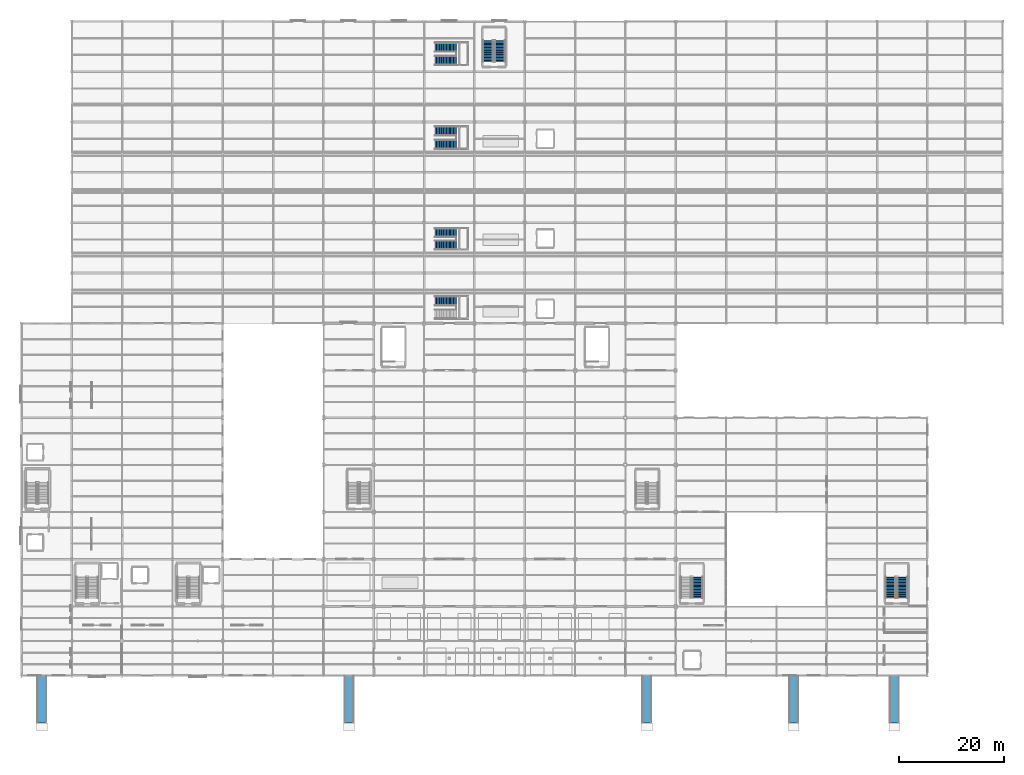
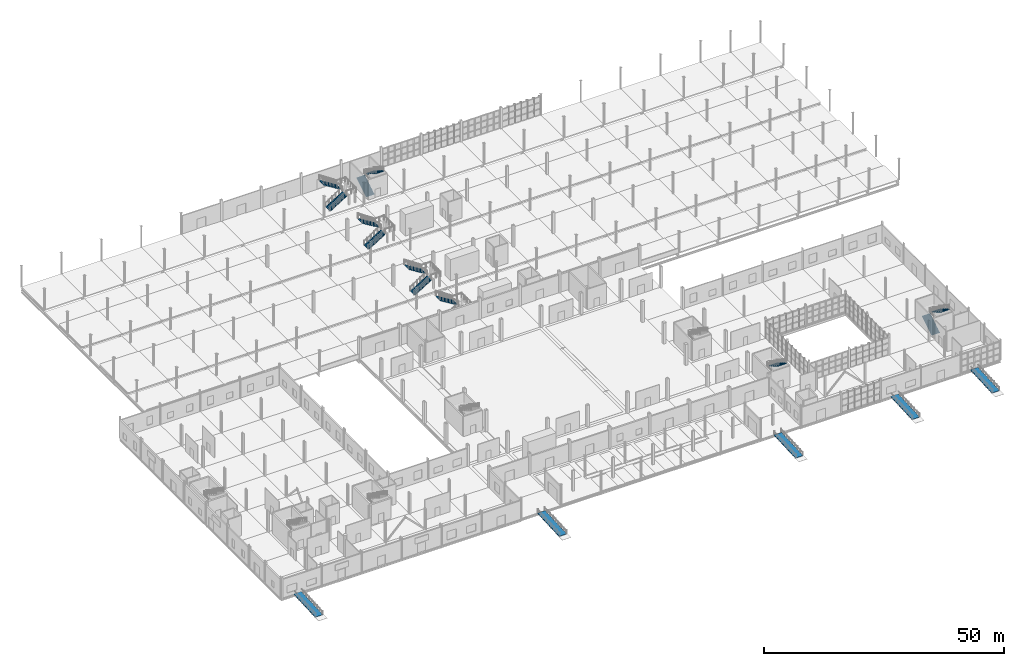
# One storey, part 74 of 85: 12 stair flights, 5 ramp flights, 12 elements without a shape of their own.
"""IFC4 building model written with IfcOpenShell, lengths in metres."""

from ifc_helpers import new_model, si_unit, direction, frame, origin, place, context, subcontext, project, spatial, polyline, outline, extrude, material, layer, layer_set, type_object, element, aggregate, save


model = new_model("IFC4")

# Units and contexts
model_context = context("Model", 3, precision=1e-05, world=origin(), true_north=direction((0.0, 1.0)))
body_context = subcontext(model_context, "Body", "Model", "MODEL_VIEW")
ifc_project = project(units=[si_unit("LENGTHUNIT", "METRE"), si_unit("AREAUNIT", "SQUARE_METRE"), si_unit("VOLUMEUNIT", "CUBIC_METRE"), si_unit("PLANEANGLEUNIT", "RADIAN"), si_unit("MASSUNIT", "GRAM", prefix="KILO")], contexts=[model_context])

# Site, building, storey
site_placement = place(None, origin())
site = spatial("IfcSite", under=ifc_project, at=site_placement, CompositionType="ELEMENT")
building_placement = place(site_placement, origin())
building = spatial("IfcBuilding", under=site, at=building_placement, Name="Zarnetskaya Central Station", CompositionType="ELEMENT")
storey_placement = place(building_placement, origin())
storey = spatial("IfcBuildingStorey", under=building, at=storey_placement, Name="L00", CompositionType="ELEMENT", Elevation=0.0)

# Stair, stair flights
ifc_material = material(Name="Concrete C30/37", Category="concrete")
stair_type_1 = type_object("IfcStairType", Name="STAIR-ASSY-01", PredefinedType="HALF_TURN_STAIR", material=ifc_material)
stair_1_placement = place(storey_placement, origin())
stair_1 = element("IfcStair", 1, at=stair_1_placement, inside=storey, type_object=stair_type_1, Name="Exit Stair ST-P2 L00", PredefinedType="HALF_TURN_STAIR")
stair_flight_type_1 = type_object("IfcStairFlightType", Name="FLT-TYPE-01", PredefinedType="STRAIGHT", material=ifc_material)
stair_flight_1_placement = place(storey_placement, frame((78.89990234375, 82.10009765625, 0.0), z_axis=(0.0, 0.0, 1.0), x_axis=(1.0, 0.0, 0.0)))
stair_flight_1 = element("IfcStairFlight", 2, at=stair_flight_1_placement, type_object=stair_flight_type_1, Name="ST-03 flight 1", NumberOfRisers=16, NumberOfTreads=15, PredefinedType="STRAIGHT", RiserHeight=0.16875, TreadLength=0.27, context=body_context, shape_type="SweptSolid", body=[
    extrude(outline(polyline([(0.0, 0.0), (0.0, 0.168701171875), (0.27001953125, 0.168701171875), (0.27001953125, 0.33740234375), (0.5400390625, 0.33740234375), (0.5400390625, 0.50634765625), (0.81005859375, 0.50634765625), (0.81005859375, 0.675048828125), (1.080078125, 0.675048828125), (1.080078125, 0.84375), (1.35009765625, 0.84375), (1.35009765625, 1.012451171875), (1.6201171875, 1.012451171875), (1.6201171875, 1.18115234375), (1.889892578125, 1.18115234375), (1.889892578125, 1.35009765625), (2.159912109375, 1.35009765625), (2.159912109375, 1.518798828125), (2.429931640625, 1.518798828125), (2.429931640625, 1.6875), (2.699951171875, 1.6875), (2.699951171875, 1.856201171875), (2.969970703125, 1.856201171875), (2.969970703125, 2.02490234375), (3.239990234375, 2.02490234375), (3.239990234375, 2.19384765625), (3.510009765625, 2.19384765625), (3.510009765625, 2.362548828125), (3.780029296875, 2.362548828125), (3.780029296875, 2.53125), (4.050048828125, 2.53125), (4.050048828125, 2.699951171875), (4.050048828125, 2.3544921875), (0.28271484375, 0.0), (0.0, 0.0)])), frame((0.0, 0.85986328125, 0.0), z_axis=(0.0, -1.0, 0.0), x_axis=(1.0, 0.0, 0.0)), (0.0, 0.0, 1.0), 1.719970703125),
])
stair_flight_2_placement = place(storey_placement, frame((82.949951171875, 84.5, 2.699951171875), z_axis=(0.0, 0.0, 1.0), x_axis=(-1.0, 0.0, 0.0)))
stair_flight_2 = element("IfcStairFlight", 3, at=stair_flight_2_placement, type_object=stair_flight_type_1, Name="ST-03 flight 2", NumberOfRisers=16, NumberOfTreads=15, PredefinedType="STRAIGHT", RiserHeight=0.16875, TreadLength=0.27, context=body_context, shape_type="SweptSolid", body=[
    extrude(outline(polyline([(0.0, 0.0), (0.0, 0.168701171875), (0.27001953125, 0.168701171875), (0.27001953125, 0.33740234375), (0.5400390625, 0.33740234375), (0.5400390625, 0.50634765625), (0.81005859375, 0.50634765625), (0.81005859375, 0.675048828125), (1.080078125, 0.675048828125), (1.080078125, 0.84375), (1.35009765625, 0.84375), (1.35009765625, 1.012451171875), (1.6201171875, 1.012451171875), (1.6201171875, 1.18115234375), (1.889892578125, 1.18115234375), (1.889892578125, 1.35009765625), (2.159912109375, 1.35009765625), (2.159912109375, 1.518798828125), (2.429931640625, 1.518798828125), (2.429931640625, 1.6875), (2.699951171875, 1.6875), (2.699951171875, 1.856201171875), (2.969970703125, 1.856201171875), (2.969970703125, 2.02490234375), (3.239990234375, 2.02490234375), (3.239990234375, 2.19384765625), (3.510009765625, 2.19384765625), (3.510009765625, 2.362548828125), (3.780029296875, 2.362548828125), (3.780029296875, 2.53125), (4.050048828125, 2.53125), (4.050048828125, 2.699951171875), (4.050048828125, 2.3544921875), (0.28271484375, 0.0), (0.0, 0.0)])), frame((0.0, 0.85986328125, 0.0), z_axis=(0.0, -1.0, 0.0), x_axis=(1.0, 0.0, 0.0)), (0.0, 0.0, 1.0), 1.719970703125),
])
aggregate(stair_1, [stair_flight_1, stair_flight_2])

stair_type_2 = type_object("IfcStairType", Name="STAIR-ASSY-02", PredefinedType="HALF_TURN_STAIR", material=ifc_material)
stair_2_placement = place(storey_placement, origin())
stair_2 = element("IfcStair", 4, at=stair_2_placement, inside=storey, type_object=stair_type_2, Name="Exit Stair ST-P3 L00", PredefinedType="HALF_TURN_STAIR")
stair_flight_type_2 = type_object("IfcStairFlightType", Name="FLT-TYPE-02", PredefinedType="STRAIGHT", material=ifc_material)
stair_flight_3_placement = place(storey_placement, frame((78.89990234375, 101.320068359375, 0.0), z_axis=(0.0, 0.0, 1.0), x_axis=(1.0, 0.0, 0.0)))
stair_flight_3 = element("IfcStairFlight", 5, at=stair_flight_3_placement, type_object=stair_flight_type_2, Name="ST-07 flight 1", NumberOfRisers=16, NumberOfTreads=15, PredefinedType="STRAIGHT", RiserHeight=0.16875, TreadLength=0.27, context=body_context, shape_type="SweptSolid", body=[
    extrude(outline(polyline([(0.0, 0.0), (0.0, 0.168701171875), (0.27001953125, 0.168701171875), (0.27001953125, 0.33740234375), (0.5400390625, 0.33740234375), (0.5400390625, 0.50634765625), (0.81005859375, 0.50634765625), (0.81005859375, 0.675048828125), (1.080078125, 0.675048828125), (1.080078125, 0.84375), (1.35009765625, 0.84375), (1.35009765625, 1.012451171875), (1.6201171875, 1.012451171875), (1.6201171875, 1.18115234375), (1.889892578125, 1.18115234375), (1.889892578125, 1.35009765625), (2.159912109375, 1.35009765625), (2.159912109375, 1.518798828125), (2.429931640625, 1.518798828125), (2.429931640625, 1.6875), (2.699951171875, 1.6875), (2.699951171875, 1.856201171875), (2.969970703125, 1.856201171875), (2.969970703125, 2.02490234375), (3.239990234375, 2.02490234375), (3.239990234375, 2.19384765625), (3.510009765625, 2.19384765625), (3.510009765625, 2.362548828125), (3.780029296875, 2.362548828125), (3.780029296875, 2.53125), (4.050048828125, 2.53125), (4.050048828125, 2.699951171875), (4.050048828125, 2.3544921875), (0.28271484375, 0.0), (0.0, 0.0)])), frame((0.0, 0.8798828125, 0.0), z_axis=(0.0, -1.0, 0.0), x_axis=(1.0, 0.0, 0.0)), (0.0, 0.0, 1.0), 1.760009765625),
])
stair_flight_4_placement = place(storey_placement, frame((82.949951171875, 103.8798828125, 2.699951171875), z_axis=(0.0, 0.0, 1.0), x_axis=(-1.0, 0.0, 0.0)))
stair_flight_4 = element("IfcStairFlight", 6, at=stair_flight_4_placement, type_object=stair_flight_type_2, Name="ST-07 flight 2", NumberOfRisers=16, NumberOfTreads=15, PredefinedType="STRAIGHT", RiserHeight=0.16875, TreadLength=0.27, context=body_context, shape_type="SweptSolid", body=[
    extrude(outline(polyline([(0.0, 0.0), (0.0, 0.168701171875), (0.27001953125, 0.168701171875), (0.27001953125, 0.33740234375), (0.5400390625, 0.33740234375), (0.5400390625, 0.50634765625), (0.81005859375, 0.50634765625), (0.81005859375, 0.675048828125), (1.080078125, 0.675048828125), (1.080078125, 0.84375), (1.35009765625, 0.84375), (1.35009765625, 1.012451171875), (1.6201171875, 1.012451171875), (1.6201171875, 1.18115234375), (1.889892578125, 1.18115234375), (1.889892578125, 1.35009765625), (2.159912109375, 1.35009765625), (2.159912109375, 1.518798828125), (2.429931640625, 1.518798828125), (2.429931640625, 1.6875), (2.699951171875, 1.6875), (2.699951171875, 1.856201171875), (2.969970703125, 1.856201171875), (2.969970703125, 2.02490234375), (3.239990234375, 2.02490234375), (3.239990234375, 2.19384765625), (3.510009765625, 2.19384765625), (3.510009765625, 2.362548828125), (3.780029296875, 2.362548828125), (3.780029296875, 2.53125), (4.050048828125, 2.53125), (4.050048828125, 2.699951171875), (4.050048828125, 2.3544921875), (0.28271484375, 0.0), (0.0, 0.0)])), frame((0.0, 0.8798828125, 0.0), z_axis=(0.0, -1.0, 0.0), x_axis=(1.0, 0.0, 0.0)), (0.0, 0.0, 1.0), 1.760009765625),
])
aggregate(stair_2, [stair_flight_3, stair_flight_4])

stair_type_3 = type_object("IfcStairType", Name="STAIR-ASSY-03", PredefinedType="HALF_TURN_STAIR", material=ifc_material)
stair_3_placement = place(storey_placement, origin())
stair_3 = element("IfcStair", 7, at=stair_3_placement, inside=storey, type_object=stair_type_3, Name="Exit Stair ST-P4 L00", PredefinedType="HALF_TURN_STAIR")
stair_flight_type_3 = type_object("IfcStairFlightType", Name="FLT-TYPE-03", PredefinedType="STRAIGHT", material=ifc_material)
stair_flight_5_placement = place(storey_placement, frame((78.89990234375, 117.320068359375, 0.0), z_axis=(0.0, 0.0, 1.0), x_axis=(1.0, 0.0, 0.0)))
stair_flight_5 = element("IfcStairFlight", 8, at=stair_flight_5_placement, type_object=stair_flight_type_3, Name="ST-04 flight 1", NumberOfRisers=16, NumberOfTreads=15, PredefinedType="STRAIGHT", RiserHeight=0.16875, TreadLength=0.27, context=body_context, shape_type="SweptSolid", body=[
    extrude(outline(polyline([(0.0, 0.0), (0.0, 0.168701171875), (0.27001953125, 0.168701171875), (0.27001953125, 0.33740234375), (0.5400390625, 0.33740234375), (0.5400390625, 0.50634765625), (0.81005859375, 0.50634765625), (0.81005859375, 0.675048828125), (1.080078125, 0.675048828125), (1.080078125, 0.84375), (1.35009765625, 0.84375), (1.35009765625, 1.012451171875), (1.6201171875, 1.012451171875), (1.6201171875, 1.18115234375), (1.889892578125, 1.18115234375), (1.889892578125, 1.35009765625), (2.159912109375, 1.35009765625), (2.159912109375, 1.518798828125), (2.429931640625, 1.518798828125), (2.429931640625, 1.6875), (2.699951171875, 1.6875), (2.699951171875, 1.856201171875), (2.969970703125, 1.856201171875), (2.969970703125, 2.02490234375), (3.239990234375, 2.02490234375), (3.239990234375, 2.19384765625), (3.510009765625, 2.19384765625), (3.510009765625, 2.362548828125), (3.780029296875, 2.362548828125), (3.780029296875, 2.53125), (4.050048828125, 2.53125), (4.050048828125, 2.699951171875), (4.050048828125, 2.3544921875), (0.28271484375, 0.0), (0.0, 0.0)])), frame((0.0, 0.8798828125, 0.0), z_axis=(0.0, -1.0, 0.0), x_axis=(1.0, 0.0, 0.0)), (0.0, 0.0, 1.0), 1.760009765625),
])
stair_flight_6_placement = place(storey_placement, frame((82.949951171875, 119.8798828125, 2.699951171875), z_axis=(0.0, 0.0, 1.0), x_axis=(-1.0, 0.0, 0.0)))
stair_flight_6 = element("IfcStairFlight", 9, at=stair_flight_6_placement, type_object=stair_flight_type_3, Name="ST-04 flight 2", NumberOfRisers=16, NumberOfTreads=15, PredefinedType="STRAIGHT", RiserHeight=0.16875, TreadLength=0.27, context=body_context, shape_type="SweptSolid", body=[
    extrude(outline(polyline([(0.0, 0.0), (0.0, 0.168701171875), (0.27001953125, 0.168701171875), (0.27001953125, 0.33740234375), (0.5400390625, 0.33740234375), (0.5400390625, 0.50634765625), (0.81005859375, 0.50634765625), (0.81005859375, 0.675048828125), (1.080078125, 0.675048828125), (1.080078125, 0.84375), (1.35009765625, 0.84375), (1.35009765625, 1.012451171875), (1.6201171875, 1.012451171875), (1.6201171875, 1.18115234375), (1.889892578125, 1.18115234375), (1.889892578125, 1.35009765625), (2.159912109375, 1.35009765625), (2.159912109375, 1.518798828125), (2.429931640625, 1.518798828125), (2.429931640625, 1.6875), (2.699951171875, 1.6875), (2.699951171875, 1.856201171875), (2.969970703125, 1.856201171875), (2.969970703125, 2.02490234375), (3.239990234375, 2.02490234375), (3.239990234375, 2.19384765625), (3.510009765625, 2.19384765625), (3.510009765625, 2.362548828125), (3.780029296875, 2.362548828125), (3.780029296875, 2.53125), (4.050048828125, 2.53125), (4.050048828125, 2.699951171875), (4.050048828125, 2.3544921875), (0.28271484375, 0.0), (0.0, 0.0)])), frame((0.0, 0.8798828125, 0.0), z_axis=(0.0, -1.0, 0.0), x_axis=(1.0, 0.0, 0.0)), (0.0, 0.0, 1.0), 1.760009765625),
])
aggregate(stair_3, [stair_flight_5, stair_flight_6])

# Stair, stair flight
stair_type_4 = type_object("IfcStairType", Name="STAIR-ASSY-05", PredefinedType="HALF_TURN_STAIR", material=ifc_material)
stair_4_placement = place(storey_placement, origin())
stair_4 = element("IfcStair", 10, at=stair_4_placement, inside=storey, type_object=stair_type_4, Name="Exit Stair ST-V1 L00", PredefinedType="HALF_TURN_STAIR")
stair_flight_type_4 = type_object("IfcStairFlightType", Name="FLT-TYPE-05", PredefinedType="STRAIGHT", material=ifc_material)
stair_flight_7_placement = place(storey_placement, frame((129.0, 18.85009765625, 2.699951171875), z_axis=(0.0, 0.0, 1.0), x_axis=(0.0, -1.0, 0.0)))
stair_flight_7 = element("IfcStairFlight", 11, at=stair_flight_7_placement, type_object=stair_flight_type_4, Name="ST-06 flight 2", NumberOfRisers=16, NumberOfTreads=15, PredefinedType="STRAIGHT", RiserHeight=0.16875, TreadLength=0.27, context=body_context, shape_type="SweptSolid", body=[
    extrude(outline(polyline([(0.0, 0.0), (0.0, 0.168701171875), (0.27001953125, 0.168701171875), (0.27001953125, 0.33740234375), (0.5400390625, 0.33740234375), (0.5400390625, 0.50634765625), (0.81005859375, 0.50634765625), (0.81005859375, 0.675048828125), (1.080078125, 0.675048828125), (1.080078125, 0.84375), (1.35009765625, 0.84375), (1.35009765625, 1.012451171875), (1.6201171875, 1.012451171875), (1.6201171875, 1.18115234375), (1.889892578125, 1.18115234375), (1.889892578125, 1.35009765625), (2.159912109375, 1.35009765625), (2.159912109375, 1.518798828125), (2.429931640625, 1.518798828125), (2.429931640625, 1.6875), (2.699951171875, 1.6875), (2.699951171875, 1.856201171875), (2.969970703125, 1.856201171875), (2.969970703125, 2.02490234375), (3.239990234375, 2.02490234375), (3.239990234375, 2.19384765625), (3.510009765625, 2.19384765625), (3.510009765625, 2.362548828125), (3.780029296875, 2.362548828125), (3.780029296875, 2.53125), (4.050048828125, 2.53125), (4.050048828125, 2.699951171875), (4.050048828125, 2.3544921875), (0.28271484375, 0.0), (0.0, 0.0)])), frame((0.0, 0.9599609375, 0.0), z_axis=(0.0, -1.0, 0.0), x_axis=(1.0, 0.0, 0.0)), (0.0, 0.0, 1.0), 1.919921875),
])
aggregate(stair_4, [stair_flight_7])

# Stair, stair flights
stair_type_5 = type_object("IfcStairType", Name="STAIR-ASSY-08", PredefinedType="HALF_TURN_STAIR", material=ifc_material)
stair_5_placement = place(storey_placement, origin())
stair_5 = element("IfcStair", 12, at=stair_5_placement, inside=storey, type_object=stair_type_5, Name="Exit Stair ST-B1 L00", PredefinedType="HALF_TURN_STAIR")
stair_flight_type_5 = type_object("IfcStairFlightType", Name="FLT-TYPE-08", PredefinedType="STRAIGHT", material=ifc_material)
stair_flight_8_placement = place(storey_placement, frame((89.0, 117.10009765625, 0.0), z_axis=(0.0, 0.0, 1.0), x_axis=(0.0, 1.0, 0.0)))
stair_flight_8 = element("IfcStairFlight", 13, at=stair_flight_8_placement, type_object=stair_flight_type_5, Name="ST-05 flight 1", NumberOfRisers=16, NumberOfTreads=15, PredefinedType="STRAIGHT", RiserHeight=0.16875, TreadLength=0.27, context=body_context, shape_type="SweptSolid", body=[
    extrude(outline(polyline([(0.0, 0.0), (0.0, 0.168701171875), (0.27001953125, 0.168701171875), (0.27001953125, 0.33740234375), (0.5400390625, 0.33740234375), (0.5400390625, 0.50634765625), (0.81005859375, 0.50634765625), (0.81005859375, 0.675048828125), (1.080078125, 0.675048828125), (1.080078125, 0.84375), (1.35009765625, 0.84375), (1.35009765625, 1.012451171875), (1.6201171875, 1.012451171875), (1.6201171875, 1.18115234375), (1.889892578125, 1.18115234375), (1.889892578125, 1.35009765625), (2.159912109375, 1.35009765625), (2.159912109375, 1.518798828125), (2.429931640625, 1.518798828125), (2.429931640625, 1.6875), (2.699951171875, 1.6875), (2.699951171875, 1.856201171875), (2.969970703125, 1.856201171875), (2.969970703125, 2.02490234375), (3.239990234375, 2.02490234375), (3.239990234375, 2.19384765625), (3.510009765625, 2.19384765625), (3.510009765625, 2.362548828125), (3.780029296875, 2.362548828125), (3.780029296875, 2.53125), (4.050048828125, 2.53125), (4.050048828125, 2.699951171875), (4.050048828125, 2.3544921875), (0.28271484375, 0.0), (0.0, 0.0)])), frame((0.0, 0.9599609375, 0.0), z_axis=(0.0, -1.0, 0.0), x_axis=(1.0, 0.0, 0.0)), (0.0, 0.0, 1.0), 1.919921875),
])
stair_flight_9_placement = place(storey_placement, frame((91.300048828125, 121.14990234375, 2.699951171875), z_axis=(0.0, 0.0, 1.0), x_axis=(0.0, -1.0, 0.0)))
stair_flight_9 = element("IfcStairFlight", 14, at=stair_flight_9_placement, type_object=stair_flight_type_5, Name="ST-05 flight 2", NumberOfRisers=16, NumberOfTreads=15, PredefinedType="STRAIGHT", RiserHeight=0.16875, TreadLength=0.27, context=body_context, shape_type="SweptSolid", body=[
    extrude(outline(polyline([(0.0, 0.0), (0.0, 0.168701171875), (0.27001953125, 0.168701171875), (0.27001953125, 0.33740234375), (0.5400390625, 0.33740234375), (0.5400390625, 0.50634765625), (0.81005859375, 0.50634765625), (0.81005859375, 0.675048828125), (1.080078125, 0.675048828125), (1.080078125, 0.84375), (1.35009765625, 0.84375), (1.35009765625, 1.012451171875), (1.6201171875, 1.012451171875), (1.6201171875, 1.18115234375), (1.889892578125, 1.18115234375), (1.889892578125, 1.35009765625), (2.159912109375, 1.35009765625), (2.159912109375, 1.518798828125), (2.429931640625, 1.518798828125), (2.429931640625, 1.6875), (2.699951171875, 1.6875), (2.699951171875, 1.856201171875), (2.969970703125, 1.856201171875), (2.969970703125, 2.02490234375), (3.239990234375, 2.02490234375), (3.239990234375, 2.19384765625), (3.510009765625, 2.19384765625), (3.510009765625, 2.362548828125), (3.780029296875, 2.362548828125), (3.780029296875, 2.53125), (4.050048828125, 2.53125), (4.050048828125, 2.699951171875), (4.050048828125, 2.3544921875), (0.28271484375, 0.0), (0.0, 0.0)])), frame((0.0, 0.9599609375, 0.0), z_axis=(0.0, -1.0, 0.0), x_axis=(1.0, 0.0, 0.0)), (0.0, 0.0, 1.0), 1.919921875),
])
aggregate(stair_5, [stair_flight_8, stair_flight_9])

stair_type_6 = type_object("IfcStairType", Name="STAIR-ASSY-10", PredefinedType="HALF_TURN_STAIR", material=ifc_material)
stair_6_placement = place(storey_placement, origin())
stair_6 = element("IfcStair", 15, at=stair_6_placement, inside=storey, type_object=stair_type_6, Name="Exit Stair ST-V2 L00", PredefinedType="HALF_TURN_STAIR")
stair_flight_type_6 = type_object("IfcStairFlightType", Name="FLT-TYPE-10", PredefinedType="STRAIGHT", material=ifc_material)
stair_flight_10_placement = place(storey_placement, frame((165.800048828125, 14.800048828125, 0.0), z_axis=(0.0, 0.0, 1.0), x_axis=(0.0, 1.0, 0.0)))
stair_flight_10 = element("IfcStairFlight", 16, at=stair_flight_10_placement, type_object=stair_flight_type_6, Name="ST-08 flight 1", NumberOfRisers=16, NumberOfTreads=15, PredefinedType="STRAIGHT", RiserHeight=0.16875, TreadLength=0.27, context=body_context, shape_type="SweptSolid", body=[
    extrude(outline(polyline([(0.0, 0.0), (0.0, 0.168701171875), (0.27001953125, 0.168701171875), (0.27001953125, 0.33740234375), (0.5400390625, 0.33740234375), (0.5400390625, 0.50634765625), (0.81005859375, 0.50634765625), (0.81005859375, 0.675048828125), (1.080078125, 0.675048828125), (1.080078125, 0.84375), (1.35009765625, 0.84375), (1.35009765625, 1.012451171875), (1.6201171875, 1.012451171875), (1.6201171875, 1.18115234375), (1.889892578125, 1.18115234375), (1.889892578125, 1.35009765625), (2.159912109375, 1.35009765625), (2.159912109375, 1.518798828125), (2.429931640625, 1.518798828125), (2.429931640625, 1.6875), (2.699951171875, 1.6875), (2.699951171875, 1.856201171875), (2.969970703125, 1.856201171875), (2.969970703125, 2.02490234375), (3.239990234375, 2.02490234375), (3.239990234375, 2.19384765625), (3.510009765625, 2.19384765625), (3.510009765625, 2.362548828125), (3.780029296875, 2.362548828125), (3.780029296875, 2.53125), (4.050048828125, 2.53125), (4.050048828125, 2.699951171875), (4.050048828125, 2.3544921875), (0.28271484375, 0.0), (0.0, 0.0)])), frame((0.0, 0.9599609375, 0.0), z_axis=(0.0, -1.0, 0.0), x_axis=(1.0, 0.0, 0.0)), (0.0, 0.0, 1.0), 1.919921875),
])
stair_flight_11_placement = place(storey_placement, frame((168.10009765625, 18.85009765625, 2.699951171875), z_axis=(0.0, 0.0, 1.0), x_axis=(0.0, -1.0, 0.0)))
stair_flight_11 = element("IfcStairFlight", 17, at=stair_flight_11_placement, type_object=stair_flight_type_6, Name="ST-08 flight 2", NumberOfRisers=16, NumberOfTreads=15, PredefinedType="STRAIGHT", RiserHeight=0.16875, TreadLength=0.27, context=body_context, shape_type="SweptSolid", body=[
    extrude(outline(polyline([(0.0, 0.0), (0.0, 0.168701171875), (0.27001953125, 0.168701171875), (0.27001953125, 0.33740234375), (0.5400390625, 0.33740234375), (0.5400390625, 0.50634765625), (0.81005859375, 0.50634765625), (0.81005859375, 0.675048828125), (1.080078125, 0.675048828125), (1.080078125, 0.84375), (1.35009765625, 0.84375), (1.35009765625, 1.012451171875), (1.6201171875, 1.012451171875), (1.6201171875, 1.18115234375), (1.889892578125, 1.18115234375), (1.889892578125, 1.35009765625), (2.159912109375, 1.35009765625), (2.159912109375, 1.518798828125), (2.429931640625, 1.518798828125), (2.429931640625, 1.6875), (2.699951171875, 1.6875), (2.699951171875, 1.856201171875), (2.969970703125, 1.856201171875), (2.969970703125, 2.02490234375), (3.239990234375, 2.02490234375), (3.239990234375, 2.19384765625), (3.510009765625, 2.19384765625), (3.510009765625, 2.362548828125), (3.780029296875, 2.362548828125), (3.780029296875, 2.53125), (4.050048828125, 2.53125), (4.050048828125, 2.699951171875), (4.050048828125, 2.3544921875), (0.28271484375, 0.0), (0.0, 0.0)])), frame((0.0, 0.9599609375, 0.0), z_axis=(0.0, -1.0, 0.0), x_axis=(1.0, 0.0, 0.0)), (0.0, 0.0, 1.0), 1.919921875),
])
aggregate(stair_6, [stair_flight_10, stair_flight_11])

# Stair, stair flight
stair_type_7 = type_object("IfcStairType", Name="STAIR-ASSY-11", PredefinedType="HALF_TURN_STAIR", material=ifc_material)
stair_7_placement = place(storey_placement, origin())
stair_7 = element("IfcStair", 18, at=stair_7_placement, inside=storey, type_object=stair_type_7, Name="Exit Stair ST-P1 L00", PredefinedType="HALF_TURN_STAIR")
stair_flight_type_7 = type_object("IfcStairFlightType", Name="FLT-TYPE-11", PredefinedType="STRAIGHT", material=ifc_material)
stair_flight_12_placement = place(storey_placement, frame((82.949951171875, 71.47998046875, 2.699951171875), z_axis=(0.0, 0.0, 1.0), x_axis=(-1.0, 0.0, 0.0)))
stair_flight_12 = element("IfcStairFlight", 19, at=stair_flight_12_placement, type_object=stair_flight_type_7, Name="ST-12 flight 2", NumberOfRisers=16, NumberOfTreads=15, PredefinedType="STRAIGHT", RiserHeight=0.16875, TreadLength=0.27, context=body_context, shape_type="SweptSolid", body=[
    extrude(outline(polyline([(0.0, 0.0), (0.0, 0.168701171875), (0.27001953125, 0.168701171875), (0.27001953125, 0.33740234375), (0.5400390625, 0.33740234375), (0.5400390625, 0.50634765625), (0.81005859375, 0.50634765625), (0.81005859375, 0.675048828125), (1.080078125, 0.675048828125), (1.080078125, 0.84375), (1.35009765625, 0.84375), (1.35009765625, 1.012451171875), (1.6201171875, 1.012451171875), (1.6201171875, 1.18115234375), (1.889892578125, 1.18115234375), (1.889892578125, 1.35009765625), (2.159912109375, 1.35009765625), (2.159912109375, 1.518798828125), (2.429931640625, 1.518798828125), (2.429931640625, 1.6875), (2.699951171875, 1.6875), (2.699951171875, 1.856201171875), (2.969970703125, 1.856201171875), (2.969970703125, 2.02490234375), (3.239990234375, 2.02490234375), (3.239990234375, 2.19384765625), (3.510009765625, 2.19384765625), (3.510009765625, 2.362548828125), (3.780029296875, 2.362548828125), (3.780029296875, 2.53125), (4.050048828125, 2.53125), (4.050048828125, 2.699951171875), (4.050048828125, 2.3544921875), (0.28271484375, 0.0), (0.0, 0.0)])), frame((0.0, 0.8798828125, 0.0), z_axis=(0.0, -1.0, 0.0), x_axis=(1.0, 0.0, 0.0)), (0.0, 0.0, 1.0), 1.760009765625),
])
aggregate(stair_7, [stair_flight_12])

# Ramp, ramp flight
ramp_type = type_object("IfcRampType", Name="RAMP-ASSY-PAX", PredefinedType="STRAIGHT_RUN_RAMP", material=ifc_material)
ramp_1_placement = place(storey_placement, origin())
ramp_1 = element("IfcRamp", 20, at=ramp_1_placement, inside=storey, type_object=ramp_type, Name="Accessible passenger entrance ramp RM-01", PredefinedType="STRAIGHT_RUN_RAMP")
ifc_layer = layer(ifc_material, 0.195068359375, Name="Concrete C30/37", Category="concrete")
ifc_layer_set = layer_set([ifc_layer], Name="Concrete C30/37")
ramp_flight_type = type_object("IfcRampFlightType", Name="RAMP-FLT-195", PredefinedType="STRAIGHT", material=ifc_layer_set)
ramp_flight_1_placement = place(storey_placement, frame((3.0, -9.0, -0.449951171875), z_axis=(0.0, -0.049932211876, 0.998752609117), x_axis=(1.0, 0.0, 0.0)))
ramp_flight_1 = element("IfcRampFlight", 21, at=ramp_flight_1_placement, type_object=ramp_flight_type, Name="Accessible ramp flight RM-01", PredefinedType="STRAIGHT", context=body_context, shape_type="SweptSolid", body=[
    extrude(outline(polyline([(0.0, 0.0), (1.800048828125, 0.0), (1.800048828125, 9.01124053929711), (0.0, 9.01124053929711), (0.0, 0.0)])), origin(), (0.0, 0.0, -1.0), 0.195068359375),
])
aggregate(ramp_1, [ramp_flight_1])

ramp_2_placement = place(storey_placement, origin())
ramp_2 = element("IfcRamp", 22, at=ramp_2_placement, inside=storey, type_object=ramp_type, Name="Accessible passenger entrance ramp RM-02", PredefinedType="STRAIGHT_RUN_RAMP")
ramp_flight_2_placement = place(storey_placement, frame((61.60009765625, -9.0, -0.449951171875), z_axis=(0.0, -0.049932211876, 0.998752609117), x_axis=(1.0, 0.0, 0.0)))
ramp_flight_2 = element("IfcRampFlight", 23, at=ramp_flight_2_placement, type_object=ramp_flight_type, Name="Accessible ramp flight RM-02", PredefinedType="STRAIGHT", context=body_context, shape_type="SweptSolid", body=[
    extrude(outline(polyline([(0.0, 0.0), (1.7998046875, 0.0), (1.7998046875, 9.01124053929711), (0.0, 9.01124053929711), (0.0, 0.0)])), origin(), (0.0, 0.0, -1.0), 0.195068359375),
])
aggregate(ramp_2, [ramp_flight_2])

ramp_3_placement = place(storey_placement, origin())
ramp_3 = element("IfcRamp", 24, at=ramp_3_placement, inside=storey, type_object=ramp_type, Name="Accessible passenger entrance ramp RM-03", PredefinedType="STRAIGHT_RUN_RAMP")
ramp_flight_3_placement = place(storey_placement, frame((118.39990234375, -9.0, -0.449951171875), z_axis=(0.0, -0.049932211876, 0.998752609117), x_axis=(1.0, 0.0, 0.0)))
ramp_flight_3 = element("IfcRampFlight", 25, at=ramp_flight_3_placement, type_object=ramp_flight_type, Name="Accessible ramp flight RM-03", PredefinedType="STRAIGHT", context=body_context, shape_type="SweptSolid", body=[
    extrude(outline(polyline([(0.0, 0.0), (1.800048828125, 0.0), (1.800048828125, 9.01124053929711), (0.0, 9.01124053929711), (0.0, 0.0)])), origin(), (0.0, 0.0, -1.0), 0.195068359375),
])
aggregate(ramp_3, [ramp_flight_3])

ramp_4_placement = place(storey_placement, origin())
ramp_4 = element("IfcRamp", 26, at=ramp_4_placement, inside=storey, type_object=ramp_type, Name="Accessible passenger entrance ramp RM-04", PredefinedType="STRAIGHT_RUN_RAMP")
ramp_flight_4_placement = place(storey_placement, frame((146.39990234375, -9.0, -0.449951171875), z_axis=(0.0, -0.049932211876, 0.998752609117), x_axis=(1.0, 0.0, 0.0)))
ramp_flight_4 = element("IfcRampFlight", 27, at=ramp_flight_4_placement, type_object=ramp_flight_type, Name="Accessible ramp flight RM-04", PredefinedType="STRAIGHT", context=body_context, shape_type="SweptSolid", body=[
    extrude(outline(polyline([(0.0, 0.0), (1.800048828125, 0.0), (1.800048828125, 9.01124053929711), (0.0, 9.01124053929711), (0.0, 0.0)])), origin(), (0.0, 0.0, -1.0), 0.195068359375),
])
aggregate(ramp_4, [ramp_flight_4])

ramp_5_placement = place(storey_placement, origin())
ramp_5 = element("IfcRamp", 28, at=ramp_5_placement, inside=storey, type_object=ramp_type, Name="Accessible passenger entrance ramp RM-05", PredefinedType="STRAIGHT_RUN_RAMP")
ramp_flight_5_placement = place(storey_placement, frame((165.60009765625, -9.0, -0.449951171875), z_axis=(0.0, -0.049932211876, 0.998752609117), x_axis=(1.0, 0.0, 0.0)))
ramp_flight_5 = element("IfcRampFlight", 29, at=ramp_flight_5_placement, type_object=ramp_flight_type, Name="Accessible ramp flight RM-05", PredefinedType="STRAIGHT", context=body_context, shape_type="SweptSolid", body=[
    extrude(outline(polyline([(0.0, 0.0), (1.7998046875, 0.0), (1.7998046875, 9.01124053929711), (0.0, 9.01124053929711), (0.0, 0.0)])), origin(), (0.0, 0.0, -1.0), 0.195068359375),
])
aggregate(ramp_5, [ramp_flight_5])

save(model, "model.ifc")
